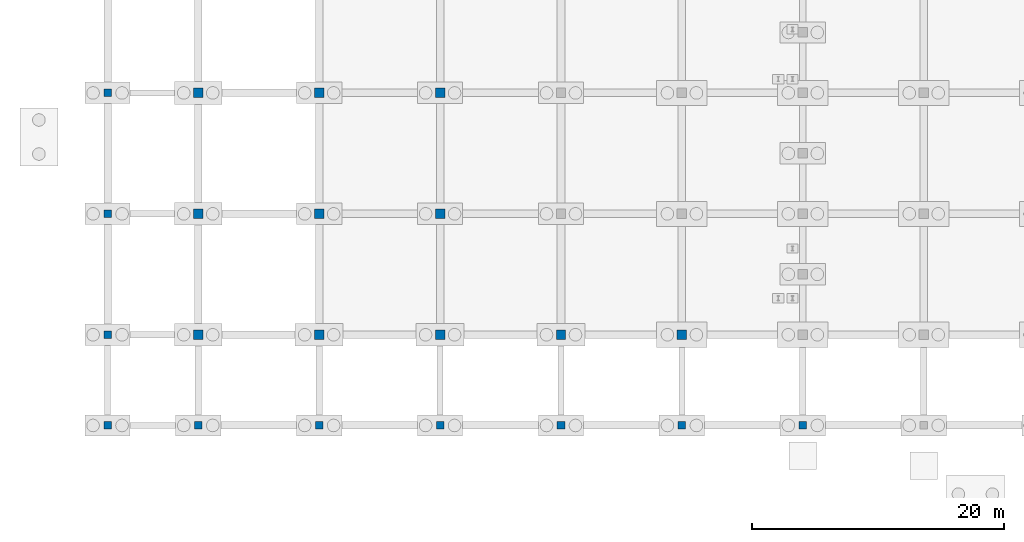
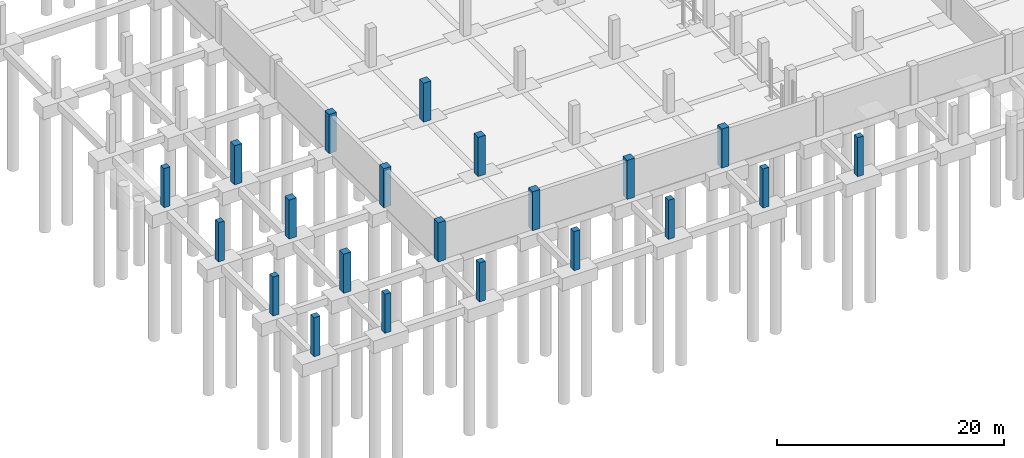
# One storey, part 12 of 54: 21 columns.
"""IFC4 building model written with IfcOpenShell, lengths in metres."""

from ifc_helpers import new_model, si_unit, direction, frame, origin, origin_2d, place, context, subcontext, project, spatial, rectangle, extrude, material, material_profile, profile_set, type_object, element, save


model = new_model("IFC4")

# Units and contexts
model_context = context("Model", 3, precision=1e-05, world=origin(), true_north=direction((0.0, 1.0)))
body_context = subcontext(model_context, "Body", "Model", "MODEL_VIEW")
ifc_project = project(units=[si_unit("LENGTHUNIT", "METRE"), si_unit("AREAUNIT", "SQUARE_METRE"), si_unit("VOLUMEUNIT", "CUBIC_METRE"), si_unit("PLANEANGLEUNIT", "RADIAN"), si_unit("MASSUNIT", "GRAM", prefix="KILO")], contexts=[model_context])

# Site, building, storey
site_placement = place(None, origin())
site = spatial("IfcSite", under=ifc_project, at=site_placement, CompositionType="ELEMENT")
building_placement = place(site_placement, origin())
building = spatial("IfcBuilding", under=site, at=building_placement, Name="Zevrakil Square Congress Hotel", CompositionType="ELEMENT")
storey_placement = place(building_placement, frame((0.0, 0.0, -8.39990234375)))
storey = spatial("IfcBuildingStorey", under=building, at=storey_placement, Name="B2", CompositionType="ELEMENT", Elevation=-8.39990234375)

# Columns
ifc_material_1 = material(Name="Concrete C40/50", Category="concrete")
ifc_material_profile_1 = material_profile(ifc_material_1, rectangle(XDim=0.60009765625, YDim=0.60009765625, at=origin_2d()), Name="RC 600x600")
ifc_profile_set_1 = profile_set([ifc_material_profile_1], Name="Concrete C40/50")
column_type_1 = type_object("IfcColumnType", Name="COL-RC600", PredefinedType="COLUMN", material=ifc_profile_set_1)
for number, where, z_axis, x_axis, name in (
    (1, (0.0, 0.0, 0.0), (0.0, 0.0, 1.0), (1.0, 0.0, 0.0), "B2 column C-001"),
    (2, (0.0, 7.199951171875, 0.0), (0.0, 0.0, 1.0), (1.0, 0.0, 0.0), "B2 column C-002"),
    (3, (0.0, 16.800048828125, 0.0), (0.0, 0.0, 1.0), (1.0, 0.0, 0.0), "B2 column C-003"),
    (4, (0.0, 26.39990234375, 0.0), (0.0, 0.0, 1.0), (1.0, 0.0, 0.0), "B2 column C-004"),
    (5, (7.199951171875, 0.0, 0.0), (0.0, 0.0, 1.0), (1.0, 0.0, 0.0), "B2 column C-014"),
    (6, (16.800048828125, 0.0, 0.0), (0.0, 0.0, 1.0), (1.0, 0.0, 0.0), "B2 column C-026"),
    (7, (26.39990234375, 0.0, 0.0), (0.0, 0.0, 1.0), (1.0, 0.0, 0.0), "B2 column C-040"),
    (8, (36.0, 0.0, 0.0), (0.0, 0.0, 1.0), (1.0, 0.0, 0.0), "B2 column C-053"),
    (9, (45.60009765625, 0.0, 0.0), (0.0, 0.0, 1.0), (1.0, 0.0, 0.0), "B2 column C-067"),
    (10, (55.199951171875, 0.0, 0.0), (0.0, 0.0, 1.0), (1.0, 0.0, 0.0), "B2 column C-081"),
):
    element("IfcColumn", number, at=place(storey_placement, frame(where, z_axis=z_axis, x_axis=x_axis)), inside=storey, type_object=column_type_1, Name=name, PredefinedType="COLUMN", context=body_context, shape_type="SweptSolid", body=[
        extrude(rectangle(XDim=0.60009765625, YDim=0.60009765625, at=origin_2d()), origin(), (0.0, 0.0, 1.0), 4.199951171875),
    ])
ifc_material_2 = material(Name="Concrete C40/50", Category="concrete")
ifc_material_profile_2 = material_profile(ifc_material_2, rectangle(XDim=0.75, YDim=0.75, at=origin_2d()), Name="RC 750x750")
ifc_profile_set_2 = profile_set([ifc_material_profile_2], Name="Concrete C40/50")
column_type_2 = type_object("IfcColumnType", Name="COL-RC750", PredefinedType="COLUMN", material=ifc_profile_set_2)
for number, where, z_axis, x_axis, name in (
    (11, (7.199951171875, 7.199951171875, 0.0), (0.0, 0.0, 1.0), (1.0, 0.0, 0.0), "B2 column C-015"),
    (12, (7.199951171875, 16.800048828125, 0.0), (0.0, 0.0, 1.0), (1.0, 0.0, 0.0), "B2 column C-016"),
    (13, (7.199951171875, 26.39990234375, 0.0), (0.0, 0.0, 1.0), (1.0, 0.0, 0.0), "B2 column C-017"),
    (14, (16.800048828125, 7.199951171875, 0.0), (0.0, 0.0, 1.0), (1.0, 0.0, 0.0), "B2 column C-027"),
    (15, (16.800048828125, 16.800048828125, 0.0), (0.0, 0.0, 1.0), (1.0, 0.0, 0.0), "B2 column C-028"),
    (16, (16.800048828125, 26.39990234375, 0.0), (0.0, 0.0, 1.0), (1.0, 0.0, 0.0), "B2 column C-029"),
    (17, (26.39990234375, 7.199951171875, 0.0), (0.0, 0.0, 1.0), (1.0, 0.0, 0.0), "B2 column C-041"),
    (18, (26.39990234375, 16.800048828125, 0.0), (0.0, 0.0, 1.0), (1.0, 0.0, 0.0), "B2 column C-042"),
    (19, (26.39990234375, 26.39990234375, 0.0), (0.0, 0.0, 1.0), (1.0, 0.0, 0.0), "B2 column C-043"),
    (20, (36.0, 7.199951171875, 0.0), (0.0, 0.0, 1.0), (1.0, 0.0, 0.0), "B2 column C-054"),
    (21, (45.60009765625, 7.199951171875, 0.0), (0.0, 0.0, 1.0), (1.0, 0.0, 0.0), "B2 column C-068"),
):
    element("IfcColumn", number, at=place(storey_placement, frame(where, z_axis=z_axis, x_axis=x_axis)), inside=storey, type_object=column_type_2, Name=name, PredefinedType="COLUMN", context=body_context, shape_type="SweptSolid", body=[
        extrude(rectangle(XDim=0.75, YDim=0.75, at=origin_2d()), origin(), (0.0, 0.0, 1.0), 4.199951171875),
    ])

save(model, "model.ifc")
